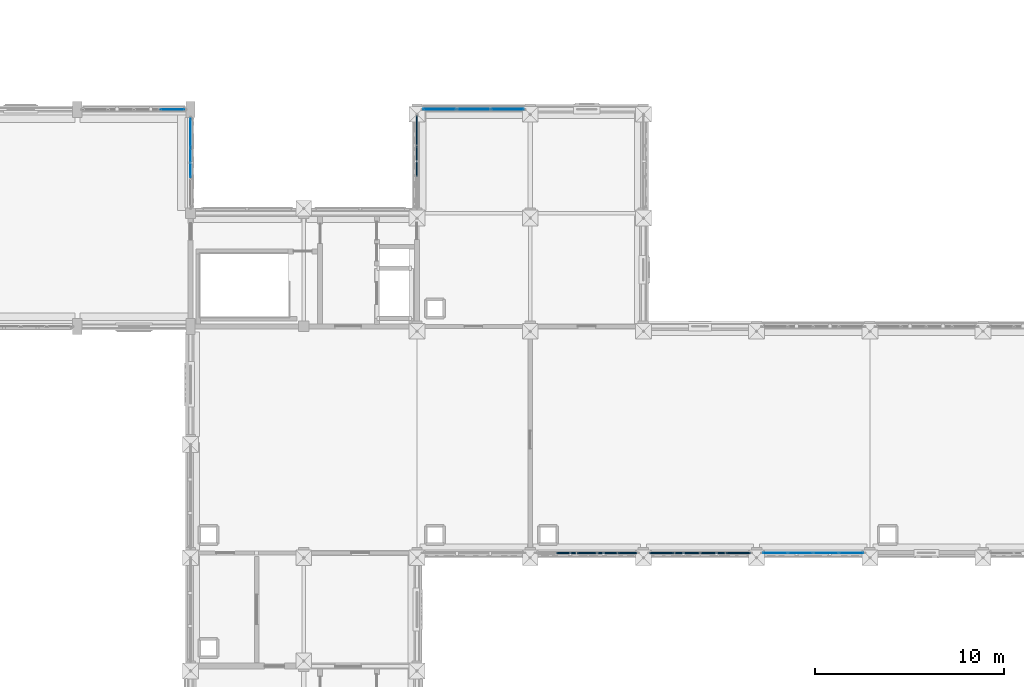
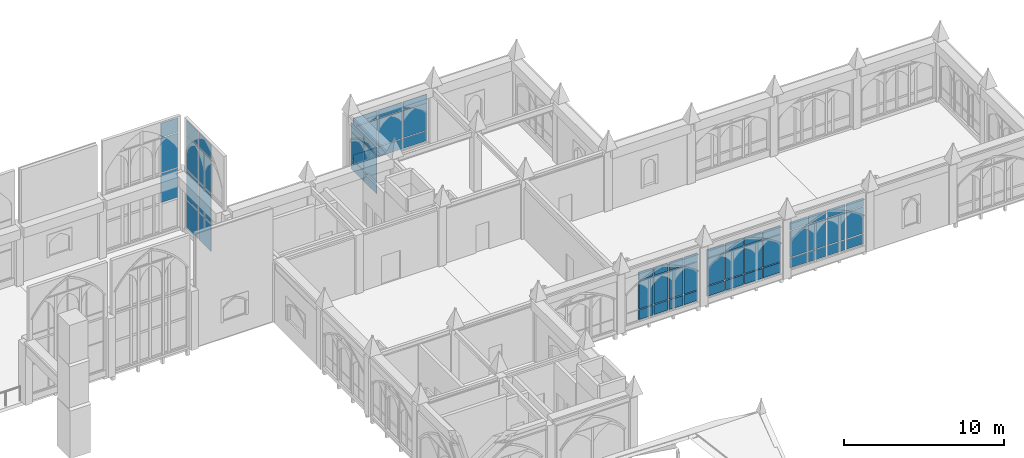
# One storey, part 70 of 108: 62 plates, 7 elements without a shape of their own.
"""IFC4 building model written with IfcOpenShell, lengths in metres."""

from ifc_helpers import new_model, si_unit, direction, frame, origin, origin_2d, place, context, subcontext, project, spatial, rectangle, extrude, material, layer, layer_set, type_object, element, aggregate, save


model = new_model("IFC4")

# Units and contexts
model_context = context("Model", 3, precision=1e-05, world=origin(), true_north=direction((0.0, 1.0)))
body_context = subcontext(model_context, "Body", "Model", "MODEL_VIEW")
ifc_project = project(units=[si_unit("LENGTHUNIT", "METRE"), si_unit("AREAUNIT", "SQUARE_METRE"), si_unit("VOLUMEUNIT", "CUBIC_METRE"), si_unit("PLANEANGLEUNIT", "RADIAN"), si_unit("MASSUNIT", "GRAM", prefix="KILO")], contexts=[model_context])

# Site, building, storey
site_placement = place(None, origin())
site = spatial("IfcSite", under=ifc_project, at=site_placement, CompositionType="ELEMENT")
building_placement = place(site_placement, origin())
building = spatial("IfcBuilding", under=site, at=building_placement, Name="Cumevento Cable Car Station", CompositionType="ELEMENT")
storey_placement = place(building_placement, frame((0.0, 0.0, 13.5)))
storey = spatial("IfcBuildingStorey", under=building, at=storey_placement, Name="L04", CompositionType="ELEMENT", Elevation=13.5)

# Curtain wall, plates
ifc_material_1 = material(Name="Anodised Bronze Aluminium AW-6063-T6", Category="aluminium")
ifc_layer_1 = layer(ifc_material_1, 0.196044921875)
ifc_layer_set_1 = layer_set([ifc_layer_1], Name="Anodised Bronze Aluminium AW-6063-T6")
curtain_wall_type_1 = type_object("IfcCurtainWallType", Name="Lancet Curtain Wall CW-07 1290", PredefinedType="NOTDEFINED", material=ifc_layer_set_1)
curtain_wall_1_placement = place(storey_placement, origin())
curtain_wall_1 = element("IfcCurtainWall", 1, at=curtain_wall_1_placement, inside=storey, type_object=curtain_wall_type_1, Name="Lancet Curtain Wall CW-07 L04 #182", PredefinedType="NOTDEFINED")
ifc_material_2 = material(Name="Solar Control Laminated Double Glazing", Category="glass")
ifc_layer_2 = layer(ifc_material_2, 0.02197265625)
ifc_layer_set_2 = layer_set([ifc_layer_2], Name="Solar Control Laminated Double Glazing")
plate_type_1 = type_object("IfcPlateType", Name="Glazed Panel CWP-01 22", PredefinedType="CURTAIN_PANEL", material=ifc_layer_set_2)
plate_1_placement = place(storey_placement, frame((153.027587890625, 33.0, 0.525146484375), z_axis=(0.0, 0.0, 1.0), x_axis=(-1.0, 0.0, 0.0)))
plate_1 = element("IfcPlate", 2, at=plate_1_placement, type_object=plate_type_1, Name="CW-07 panel 1.1", PredefinedType="CURTAIN_PANEL", context=body_context, shape_type="SweptSolid", body=[
    extrude(rectangle(XDim=1.264892578125, YDim=0.02197265625, at=origin_2d()), origin(), (0.0, 0.0, 1.0), 0.75244140625),
])
plate_2_placement = place(storey_placement, frame((153.027587890625, 33.0, 1.342529296875), z_axis=(0.0, 0.0, 1.0), x_axis=(-1.0, 0.0, 0.0)))
plate_2 = element("IfcPlate", 3, at=plate_2_placement, type_object=plate_type_1, Name="CW-07 panel 1.2", PredefinedType="CURTAIN_PANEL", context=body_context, shape_type="SweptSolid", body=[
    extrude(rectangle(XDim=1.264892578125, YDim=0.02197265625, at=origin_2d()), origin(), (0.0, 0.0, 1.0), 2.01806640625),
])
plate_3_placement = place(storey_placement, frame((153.027587890625, 33.0, 3.425537109375), z_axis=(0.0, 0.0, 1.0), x_axis=(-1.0, 0.0, 0.0)))
plate_3 = element("IfcPlate", 4, at=plate_3_placement, type_object=plate_type_1, Name="CW-07 panel 1.3", PredefinedType="CURTAIN_PANEL", context=body_context, shape_type="SweptSolid", body=[
    extrude(rectangle(XDim=1.264892578125, YDim=0.02197265625, at=origin_2d()), origin(), (0.0, 0.0, 1.0), 0.6025390625),
])
plate_4_placement = place(storey_placement, frame((151.68115234375, 33.0, 0.525146484375), z_axis=(0.0, 0.0, 1.0), x_axis=(-1.0, 0.0, 0.0)))
plate_4 = element("IfcPlate", 5, at=plate_4_placement, type_object=plate_type_1, Name="CW-07 panel 2.1", PredefinedType="CURTAIN_PANEL", context=body_context, shape_type="SweptSolid", body=[
    extrude(rectangle(XDim=1.297607421875, YDim=0.02197265625, at=origin_2d()), origin(), (0.0, 0.0, 1.0), 0.75244140625),
])
plate_5_placement = place(storey_placement, frame((151.68115234375, 33.0, 1.342529296875), z_axis=(0.0, 0.0, 1.0), x_axis=(-1.0, 0.0, 0.0)))
plate_5 = element("IfcPlate", 6, at=plate_5_placement, type_object=plate_type_1, Name="CW-07 panel 2.2", PredefinedType="CURTAIN_PANEL", context=body_context, shape_type="SweptSolid", body=[
    extrude(rectangle(XDim=1.297607421875, YDim=0.02197265625, at=origin_2d()), origin(), (0.0, 0.0, 1.0), 2.01806640625),
])
plate_6_placement = place(storey_placement, frame((151.68115234375, 33.0, 3.425537109375), z_axis=(0.0, 0.0, 1.0), x_axis=(-1.0, 0.0, 0.0)))
plate_6 = element("IfcPlate", 7, at=plate_6_placement, type_object=plate_type_1, Name="CW-07 panel 2.3", PredefinedType="CURTAIN_PANEL", context=body_context, shape_type="SweptSolid", body=[
    extrude(rectangle(XDim=1.297607421875, YDim=0.02197265625, at=origin_2d()), origin(), (0.0, 0.0, 1.0), 0.6025390625),
])
plate_7_placement = place(storey_placement, frame((150.31884765625, 33.0, 0.525146484375), z_axis=(0.0, 0.0, 1.0), x_axis=(-1.0, 0.0, 0.0)))
plate_7 = element("IfcPlate", 8, at=plate_7_placement, type_object=plate_type_1, Name="CW-07 panel 3.1", PredefinedType="CURTAIN_PANEL", context=body_context, shape_type="SweptSolid", body=[
    extrude(rectangle(XDim=1.297607421875, YDim=0.02197265625, at=origin_2d()), origin(), (0.0, 0.0, 1.0), 0.75244140625),
])
plate_8_placement = place(storey_placement, frame((150.31884765625, 33.0, 1.342529296875), z_axis=(0.0, 0.0, 1.0), x_axis=(-1.0, 0.0, 0.0)))
plate_8 = element("IfcPlate", 9, at=plate_8_placement, type_object=plate_type_1, Name="CW-07 panel 3.2", PredefinedType="CURTAIN_PANEL", context=body_context, shape_type="SweptSolid", body=[
    extrude(rectangle(XDim=1.297607421875, YDim=0.02197265625, at=origin_2d()), origin(), (0.0, 0.0, 1.0), 2.01806640625),
])
plate_9_placement = place(storey_placement, frame((150.31884765625, 33.0, 3.425537109375), z_axis=(0.0, 0.0, 1.0), x_axis=(-1.0, 0.0, 0.0)))
plate_9 = element("IfcPlate", 10, at=plate_9_placement, type_object=plate_type_1, Name="CW-07 panel 3.3", PredefinedType="CURTAIN_PANEL", context=body_context, shape_type="SweptSolid", body=[
    extrude(rectangle(XDim=1.297607421875, YDim=0.02197265625, at=origin_2d()), origin(), (0.0, 0.0, 1.0), 0.6025390625),
])
plate_10_placement = place(storey_placement, frame((148.972412109375, 33.0, 0.525146484375), z_axis=(0.0, 0.0, 1.0), x_axis=(-1.0, 0.0, 0.0)))
plate_10 = element("IfcPlate", 11, at=plate_10_placement, type_object=plate_type_1, Name="CW-07 panel 4.1", PredefinedType="CURTAIN_PANEL", context=body_context, shape_type="SweptSolid", body=[
    extrude(rectangle(XDim=1.264892578125, YDim=0.02197265625, at=origin_2d()), origin(), (0.0, 0.0, 1.0), 0.75244140625),
])
plate_11_placement = place(storey_placement, frame((148.972412109375, 33.0, 1.342529296875), z_axis=(0.0, 0.0, 1.0), x_axis=(-1.0, 0.0, 0.0)))
plate_11 = element("IfcPlate", 12, at=plate_11_placement, type_object=plate_type_1, Name="CW-07 panel 4.2", PredefinedType="CURTAIN_PANEL", context=body_context, shape_type="SweptSolid", body=[
    extrude(rectangle(XDim=1.264892578125, YDim=0.02197265625, at=origin_2d()), origin(), (0.0, 0.0, 1.0), 2.01806640625),
])
plate_12_placement = place(storey_placement, frame((148.972412109375, 33.0, 3.425537109375), z_axis=(0.0, 0.0, 1.0), x_axis=(-1.0, 0.0, 0.0)))
plate_12 = element("IfcPlate", 13, at=plate_12_placement, type_object=plate_type_1, Name="CW-07 panel 4.3", PredefinedType="CURTAIN_PANEL", context=body_context, shape_type="SweptSolid", body=[
    extrude(rectangle(XDim=1.264892578125, YDim=0.02197265625, at=origin_2d()), origin(), (0.0, 0.0, 1.0), 0.6025390625),
])
aggregate(curtain_wall_1, [plate_1, plate_2, plate_3, plate_4, plate_5, plate_6, plate_7, plate_8, plate_9, plate_10, plate_11, plate_12])

ifc_material_3 = material(Name="Anodised Bronze Aluminium AW-6063-T6", Category="aluminium")
ifc_layer_3 = layer(ifc_material_3, 0.214111328125)
ifc_layer_set_3 = layer_set([ifc_layer_3], Name="Anodised Bronze Aluminium AW-6063-T6")
curtain_wall_type_2 = type_object("IfcCurtainWallType", Name="Lancet Curtain Wall CW-10 1410", PredefinedType="NOTDEFINED", material=ifc_layer_set_3)
curtain_wall_2_placement = place(storey_placement, origin())
curtain_wall_2 = element("IfcCurtainWall", 14, at=curtain_wall_2_placement, inside=storey, type_object=curtain_wall_type_2, Name="Lancet Curtain Wall CW-10 L04 #169", PredefinedType="NOTDEFINED")
ifc_material_4 = material(Name="Solar Control Laminated Double Glazing", Category="glass")
ifc_layer_4 = layer(ifc_material_4, 0.02587890625)
ifc_layer_set_4 = layer_set([ifc_layer_4], Name="Solar Control Laminated Double Glazing")
plate_type_2 = type_object("IfcPlateType", Name="Glazed Panel CWP-02 26", PredefinedType="CURTAIN_PANEL", material=ifc_layer_set_4)
plate_13_placement = place(storey_placement, frame((117.043701171875, 56.5, 2.447509765625), z_axis=(0.0, 0.0, 1.0), x_axis=(1.0, 0.0, 0.0)))
plate_13 = element("IfcPlate", 15, at=plate_13_placement, type_object=plate_type_2, Name="CW-10 panel 4.2", PredefinedType="CURTAIN_PANEL", context=body_context, shape_type="SweptSolid", body=[
    extrude(rectangle(XDim=1.262451171875, YDim=0.02587890625, at=origin_2d()), origin(), (0.0, 0.0, 1.0), 2.22509765625),
])
plate_14_placement = place(storey_placement, frame((117.043701171875, 56.5, 4.74755859375), z_axis=(0.0, 0.0, 1.0), x_axis=(1.0, 0.0, 0.0)))
plate_14 = element("IfcPlate", 16, at=plate_14_placement, type_object=plate_type_2, Name="CW-10 panel 4.3", PredefinedType="CURTAIN_PANEL", context=body_context, shape_type="SweptSolid", body=[
    extrude(rectangle(XDim=1.262451171875, YDim=0.02587890625, at=origin_2d()), origin(), (0.0, 0.0, 1.0), 2.60791015625),
])
plate_15_placement = place(storey_placement, frame((117.043701171875, 56.5, 7.4306640625), z_axis=(0.0, 0.0, 1.0), x_axis=(1.0, 0.0, 0.0)))
plate_15 = element("IfcPlate", 17, at=plate_15_placement, type_object=plate_type_2, Name="CW-10 panel 4.4", PredefinedType="CURTAIN_PANEL", context=body_context, shape_type="SweptSolid", body=[
    extrude(rectangle(XDim=1.262451171875, YDim=0.02587890625, at=origin_2d()), origin(), (0.0, 0.0, 1.0), 1.08740234375),
])
aggregate(curtain_wall_2, [plate_13, plate_14, plate_15])

ifc_material_5 = material(Name="Anodised Bronze Aluminium AW-6063-T6", Category="aluminium")
ifc_layer_5 = layer(ifc_material_5, 0.219970703125)
ifc_layer_set_5 = layer_set([ifc_layer_5], Name="Anodised Bronze Aluminium AW-6063-T6")
curtain_wall_type_3 = type_object("IfcCurtainWallType", Name="Lancet Curtain Wall CW-11 1450", PredefinedType="NOTDEFINED", material=ifc_layer_set_5)
curtain_wall_3_placement = place(storey_placement, origin())
curtain_wall_3 = element("IfcCurtainWall", 18, at=curtain_wall_3_placement, inside=storey, type_object=curtain_wall_type_3, Name="Lancet Curtain Wall CW-11 L04 #170", PredefinedType="NOTDEFINED")
ifc_material_6 = material(Name="Solar Control Laminated Double Glazing", Category="glass")
ifc_layer_6 = layer(ifc_material_6, 0.030029296875)
ifc_layer_set_6 = layer_set([ifc_layer_6], Name="Solar Control Laminated Double Glazing")
plate_type_3 = type_object("IfcPlateType", Name="Glazed Panel CWP-03 30", PredefinedType="CURTAIN_PANEL", material=ifc_layer_set_6)
plate_16_placement = place(storey_placement, frame((118.0, 55.25634765625, 0.3349609375), z_axis=(0.0, 0.0, 1.0), x_axis=(0.0, -1.0, 0.0)))
plate_16 = element("IfcPlate", 19, at=plate_16_placement, type_object=plate_type_3, Name="CW-11 panel 1.1", PredefinedType="CURTAIN_PANEL", context=body_context, shape_type="SweptSolid", body=[
    extrude(rectangle(XDim=1.487548828125, YDim=0.030029296875, at=origin_2d()), origin(), (0.0, 0.0, 1.0), 2.08740234375),
])
plate_17_placement = place(storey_placement, frame((118.0, 55.25634765625, 2.49755859375), z_axis=(0.0, 0.0, 1.0), x_axis=(0.0, -1.0, 0.0)))
plate_17 = element("IfcPlate", 20, at=plate_17_placement, type_object=plate_type_3, Name="CW-11 panel 1.2", PredefinedType="CURTAIN_PANEL", context=body_context, shape_type="SweptSolid", body=[
    extrude(rectangle(XDim=1.487548828125, YDim=0.030029296875, at=origin_2d()), origin(), (0.0, 0.0, 1.0), 2.22509765625),
])
plate_18_placement = place(storey_placement, frame((118.0, 55.25634765625, 4.79736328125), z_axis=(0.0, 0.0, 1.0), x_axis=(0.0, -1.0, 0.0)))
plate_18 = element("IfcPlate", 21, at=plate_18_placement, type_object=plate_type_3, Name="CW-11 panel 1.3", PredefinedType="CURTAIN_PANEL", context=body_context, shape_type="SweptSolid", body=[
    extrude(rectangle(XDim=1.487548828125, YDim=0.030029296875, at=origin_2d()), origin(), (0.0, 0.0, 1.0), 2.55810546875),
])
plate_19_placement = place(storey_placement, frame((118.0, 55.25634765625, 7.4306640625), z_axis=(0.0, 0.0, 1.0), x_axis=(0.0, -1.0, 0.0)))
plate_19 = element("IfcPlate", 22, at=plate_19_placement, type_object=plate_type_3, Name="CW-11 panel 1.4", PredefinedType="CURTAIN_PANEL", context=body_context, shape_type="SweptSolid", body=[
    extrude(rectangle(XDim=1.487548828125, YDim=0.030029296875, at=origin_2d()), origin(), (0.0, 0.0, 1.0), 1.08740234375),
])
plate_20_placement = place(storey_placement, frame((118.0, 53.675048828125, 0.3349609375), z_axis=(0.0, 0.0, 1.0), x_axis=(0.0, -1.0, 0.0)))
plate_20 = element("IfcPlate", 23, at=plate_20_placement, type_object=plate_type_3, Name="CW-11 panel 2.1", PredefinedType="CURTAIN_PANEL", context=body_context, shape_type="SweptSolid", body=[
    extrude(rectangle(XDim=1.52490234375, YDim=0.030029296875, at=origin_2d()), origin(), (0.0, 0.0, 1.0), 2.08740234375),
])
plate_21_placement = place(storey_placement, frame((118.0, 53.675048828125, 2.49755859375), z_axis=(0.0, 0.0, 1.0), x_axis=(0.0, -1.0, 0.0)))
plate_21 = element("IfcPlate", 24, at=plate_21_placement, type_object=plate_type_3, Name="CW-11 panel 2.2", PredefinedType="CURTAIN_PANEL", context=body_context, shape_type="SweptSolid", body=[
    extrude(rectangle(XDim=1.52490234375, YDim=0.030029296875, at=origin_2d()), origin(), (0.0, 0.0, 1.0), 2.22509765625),
])
plate_22_placement = place(storey_placement, frame((118.0, 53.675048828125, 4.79736328125), z_axis=(0.0, 0.0, 1.0), x_axis=(0.0, -1.0, 0.0)))
plate_22 = element("IfcPlate", 25, at=plate_22_placement, type_object=plate_type_3, Name="CW-11 panel 2.3", PredefinedType="CURTAIN_PANEL", context=body_context, shape_type="SweptSolid", body=[
    extrude(rectangle(XDim=1.52490234375, YDim=0.030029296875, at=origin_2d()), origin(), (0.0, 0.0, 1.0), 2.55810546875),
])
plate_23_placement = place(storey_placement, frame((118.0, 53.675048828125, 7.4306640625), z_axis=(0.0, 0.0, 1.0), x_axis=(0.0, -1.0, 0.0)))
plate_23 = element("IfcPlate", 26, at=plate_23_placement, type_object=plate_type_3, Name="CW-11 panel 2.4", PredefinedType="CURTAIN_PANEL", context=body_context, shape_type="SweptSolid", body=[
    extrude(rectangle(XDim=1.52490234375, YDim=0.030029296875, at=origin_2d()), origin(), (0.0, 0.0, 1.0), 1.08740234375),
])
aggregate(curtain_wall_3, [plate_16, plate_17, plate_18, plate_19, plate_20, plate_21, plate_22, plate_23])

ifc_material_7 = material(Name="Anodised Bronze Aluminium AW-6063-T6", Category="aluminium")
ifc_layer_7 = layer(ifc_material_7, 0.238037109375)
ifc_layer_set_7 = layer_set([ifc_layer_7], Name="Anodised Bronze Aluminium AW-6063-T6")
curtain_wall_type_4 = type_object("IfcCurtainWallType", Name="Lancet Curtain Wall CW-14 1570", PredefinedType="NOTDEFINED", material=ifc_layer_set_7)
curtain_wall_4_placement = place(storey_placement, origin())
curtain_wall_4 = element("IfcCurtainWall", 27, at=curtain_wall_4_placement, inside=storey, type_object=curtain_wall_type_4, Name="Lancet Curtain Wall CW-14 L04 #189", PredefinedType="NOTDEFINED")
ifc_material_8 = material(Name="Solar Control Laminated Double Glazing", Category="glass")
ifc_layer_8 = layer(ifc_material_8, 0.050048828125)
ifc_layer_set_8 = layer_set([ifc_layer_8], Name="Solar Control Laminated Double Glazing")
plate_type_4 = type_object("IfcPlateType", Name="Glazed Panel CWP-08 50", PredefinedType="CURTAIN_PANEL", material=ifc_layer_set_8)
plate_24_placement = place(storey_placement, frame((131.199462890625, 56.5, 0.47509765625), z_axis=(0.0, 0.0, 1.0), x_axis=(1.0, 0.0, 0.0)))
plate_24 = element("IfcPlate", 28, at=plate_24_placement, type_object=plate_type_4, Name="CW-14 panel 1.1", PredefinedType="CURTAIN_PANEL", context=body_context, shape_type="SweptSolid", body=[
    extrude(rectangle(XDim=1.71923828125, YDim=0.050048828125, at=origin_2d()), origin(), (0.0, 0.0, 1.0), 0.75244140625),
])
plate_25_placement = place(storey_placement, frame((131.199462890625, 56.5, 1.29248046875), z_axis=(0.0, 0.0, 1.0), x_axis=(1.0, 0.0, 0.0)))
plate_25 = element("IfcPlate", 29, at=plate_25_placement, type_object=plate_type_4, Name="CW-14 panel 1.2", PredefinedType="CURTAIN_PANEL", context=body_context, shape_type="SweptSolid", body=[
    extrude(rectangle(XDim=1.71923828125, YDim=0.050048828125, at=origin_2d()), origin(), (0.0, 0.0, 1.0), 2.068115234375),
])
plate_26_placement = place(storey_placement, frame((131.199462890625, 56.5, 3.425537109375), z_axis=(0.0, 0.0, 1.0), x_axis=(1.0, 0.0, 0.0)))
plate_26 = element("IfcPlate", 30, at=plate_26_placement, type_object=plate_type_4, Name="CW-14 panel 1.3", PredefinedType="CURTAIN_PANEL", context=body_context, shape_type="SweptSolid", body=[
    extrude(rectangle(XDim=1.71923828125, YDim=0.050048828125, at=origin_2d()), origin(), (0.0, 0.0, 1.0), 0.6025390625),
])
plate_27_placement = place(storey_placement, frame((133.0, 56.5, 0.47509765625), z_axis=(0.0, 0.0, 1.0), x_axis=(1.0, 0.0, 0.0)))
plate_27 = element("IfcPlate", 31, at=plate_27_placement, type_object=plate_type_4, Name="CW-14 panel 2.1", PredefinedType="CURTAIN_PANEL", context=body_context, shape_type="SweptSolid", body=[
    extrude(rectangle(XDim=1.751708984375, YDim=0.050048828125, at=origin_2d()), origin(), (0.0, 0.0, 1.0), 0.75244140625),
])
plate_28_placement = place(storey_placement, frame((133.0, 56.5, 1.29248046875), z_axis=(0.0, 0.0, 1.0), x_axis=(1.0, 0.0, 0.0)))
plate_28 = element("IfcPlate", 32, at=plate_28_placement, type_object=plate_type_4, Name="CW-14 panel 2.2", PredefinedType="CURTAIN_PANEL", context=body_context, shape_type="SweptSolid", body=[
    extrude(rectangle(XDim=1.751708984375, YDim=0.050048828125, at=origin_2d()), origin(), (0.0, 0.0, 1.0), 2.068115234375),
])
plate_29_placement = place(storey_placement, frame((133.0, 56.5, 3.425537109375), z_axis=(0.0, 0.0, 1.0), x_axis=(1.0, 0.0, 0.0)))
plate_29 = element("IfcPlate", 33, at=plate_29_placement, type_object=plate_type_4, Name="CW-14 panel 2.3", PredefinedType="CURTAIN_PANEL", context=body_context, shape_type="SweptSolid", body=[
    extrude(rectangle(XDim=1.751708984375, YDim=0.050048828125, at=origin_2d()), origin(), (0.0, 0.0, 1.0), 0.6025390625),
])
plate_30_placement = place(storey_placement, frame((134.800537109375, 56.5, 0.47509765625), z_axis=(0.0, 0.0, 1.0), x_axis=(1.0, 0.0, 0.0)))
plate_30 = element("IfcPlate", 34, at=plate_30_placement, type_object=plate_type_4, Name="CW-14 panel 3.1", PredefinedType="CURTAIN_PANEL", context=body_context, shape_type="SweptSolid", body=[
    extrude(rectangle(XDim=1.71923828125, YDim=0.050048828125, at=origin_2d()), origin(), (0.0, 0.0, 1.0), 0.75244140625),
])
plate_31_placement = place(storey_placement, frame((134.800537109375, 56.5, 1.29248046875), z_axis=(0.0, 0.0, 1.0), x_axis=(1.0, 0.0, 0.0)))
plate_31 = element("IfcPlate", 35, at=plate_31_placement, type_object=plate_type_4, Name="CW-14 panel 3.2", PredefinedType="CURTAIN_PANEL", context=body_context, shape_type="SweptSolid", body=[
    extrude(rectangle(XDim=1.71923828125, YDim=0.050048828125, at=origin_2d()), origin(), (0.0, 0.0, 1.0), 2.068115234375),
])
plate_32_placement = place(storey_placement, frame((134.800537109375, 56.5, 3.425537109375), z_axis=(0.0, 0.0, 1.0), x_axis=(1.0, 0.0, 0.0)))
plate_32 = element("IfcPlate", 36, at=plate_32_placement, type_object=plate_type_4, Name="CW-14 panel 3.3", PredefinedType="CURTAIN_PANEL", context=body_context, shape_type="SweptSolid", body=[
    extrude(rectangle(XDim=1.71923828125, YDim=0.050048828125, at=origin_2d()), origin(), (0.0, 0.0, 1.0), 0.6025390625),
])
aggregate(curtain_wall_4, [plate_24, plate_25, plate_26, plate_27, plate_28, plate_29, plate_30, plate_31, plate_32])

ifc_material_9 = material(Name="Anodised Bronze Aluminium AW-6063-T6", Category="aluminium")
ifc_layer_9 = layer(ifc_material_9, 0.243896484375)
ifc_layer_set_9 = layer_set([ifc_layer_9], Name="Anodised Bronze Aluminium AW-6063-T6")
curtain_wall_type_5 = type_object("IfcCurtainWallType", Name="Lancet Curtain Wall CW-15 1610", PredefinedType="NOTDEFINED", material=ifc_layer_set_9)
curtain_wall_5_placement = place(storey_placement, origin())
curtain_wall_5 = element("IfcCurtainWall", 37, at=curtain_wall_5_placement, inside=storey, type_object=curtain_wall_type_5, Name="Lancet Curtain Wall CW-15 L04 #190", PredefinedType="NOTDEFINED")
ifc_material_10 = material(Name="Insulated Bronze Aluminium Spandrel Panel", Category="aluminium")
ifc_layer_10 = layer(ifc_material_10, 0.054931640625)
ifc_layer_set_10 = layer_set([ifc_layer_10], Name="Insulated Bronze Aluminium Spandrel Panel")
plate_type_5 = type_object("IfcPlateType", Name="Spandrel Panel CWP-09 55", PredefinedType="CURTAIN_PANEL", material=ifc_layer_set_10)
plate_33_placement = place(storey_placement, frame((130.0, 53.75, 0.525146484375), z_axis=(0.0, 0.0, 1.0), x_axis=(0.0, 1.0, 0.0)))
plate_33 = element("IfcPlate", 38, at=plate_33_placement, type_object=plate_type_5, Name="CW-15 panel 2.1", PredefinedType="CURTAIN_PANEL", context=body_context, shape_type="SweptSolid", body=[
    extrude(rectangle(XDim=1.5849609375, YDim=0.054931640625, at=origin_2d()), origin(), (0.0, 0.0, 1.0), 0.75244140625),
])
plate_34_placement = place(storey_placement, frame((130.0, 53.75, 1.342529296875), z_axis=(0.0, 0.0, 1.0), x_axis=(0.0, 1.0, 0.0)))
plate_34 = element("IfcPlate", 39, at=plate_34_placement, type_object=plate_type_5, Name="CW-15 panel 2.2", PredefinedType="CURTAIN_PANEL", context=body_context, shape_type="SweptSolid", body=[
    extrude(rectangle(XDim=1.5849609375, YDim=0.054931640625, at=origin_2d()), origin(), (0.0, 0.0, 1.0), 2.01806640625),
])
plate_35_placement = place(storey_placement, frame((130.0, 53.75, 3.425537109375), z_axis=(0.0, 0.0, 1.0), x_axis=(0.0, 1.0, 0.0)))
plate_35 = element("IfcPlate", 40, at=plate_35_placement, type_object=plate_type_5, Name="CW-15 panel 2.3", PredefinedType="CURTAIN_PANEL", context=body_context, shape_type="SweptSolid", body=[
    extrude(rectangle(XDim=1.5849609375, YDim=0.054931640625, at=origin_2d()), origin(), (0.0, 0.0, 1.0), 0.6025390625),
])
plate_36_placement = place(storey_placement, frame((130.0, 55.3837890625, 0.525146484375), z_axis=(0.0, 0.0, 1.0), x_axis=(0.0, 1.0, 0.0)))
plate_36 = element("IfcPlate", 41, at=plate_36_placement, type_object=plate_type_5, Name="CW-15 panel 3.1", PredefinedType="CURTAIN_PANEL", context=body_context, shape_type="SweptSolid", body=[
    extrude(rectangle(XDim=1.552490234375, YDim=0.054931640625, at=origin_2d()), origin(), (0.0, 0.0, 1.0), 0.75244140625),
])
plate_37_placement = place(storey_placement, frame((130.0, 55.3837890625, 1.342529296875), z_axis=(0.0, 0.0, 1.0), x_axis=(0.0, 1.0, 0.0)))
plate_37 = element("IfcPlate", 42, at=plate_37_placement, type_object=plate_type_5, Name="CW-15 panel 3.2", PredefinedType="CURTAIN_PANEL", context=body_context, shape_type="SweptSolid", body=[
    extrude(rectangle(XDim=1.552490234375, YDim=0.054931640625, at=origin_2d()), origin(), (0.0, 0.0, 1.0), 2.01806640625),
])
plate_38_placement = place(storey_placement, frame((130.0, 55.3837890625, 3.425537109375), z_axis=(0.0, 0.0, 1.0), x_axis=(0.0, 1.0, 0.0)))
plate_38 = element("IfcPlate", 43, at=plate_38_placement, type_object=plate_type_5, Name="CW-15 panel 3.3", PredefinedType="CURTAIN_PANEL", context=body_context, shape_type="SweptSolid", body=[
    extrude(rectangle(XDim=1.552490234375, YDim=0.054931640625, at=origin_2d()), origin(), (0.0, 0.0, 1.0), 0.6025390625),
])
aggregate(curtain_wall_5, [plate_33, plate_34, plate_35, plate_36, plate_37, plate_38])

ifc_material_11 = material(Name="Anodised Bronze Aluminium AW-6063-T6", Category="aluminium")
ifc_layer_11 = layer(ifc_material_11, 0.18408203125)
ifc_layer_set_11 = layer_set([ifc_layer_11], Name="Anodised Bronze Aluminium AW-6063-T6")
curtain_wall_type_6 = type_object("IfcCurtainWallType", Name="Lancet Curtain Wall CW-05 1210", PredefinedType="NOTDEFINED", material=ifc_layer_set_11)
curtain_wall_6_placement = place(storey_placement, origin())
curtain_wall_6 = element("IfcCurtainWall", 44, at=curtain_wall_6_placement, inside=storey, type_object=curtain_wall_type_6, Name="Lancet Curtain Wall CW-05 L04 #180", PredefinedType="NOTDEFINED")
ifc_material_12 = material(Name="Insulated Bronze Aluminium Spandrel Panel", Category="aluminium")
ifc_layer_12 = layer(ifc_material_12, 0.077880859375)
ifc_layer_set_12 = layer_set([ifc_layer_12], Name="Insulated Bronze Aluminium Spandrel Panel")
plate_type_6 = type_object("IfcPlateType", Name="Spandrel Panel CWP-13 78", PredefinedType="CURTAIN_PANEL", material=ifc_layer_set_12)
plate_39_placement = place(storey_placement, frame((141.163818359375, 33.0, 0.425048828125), z_axis=(0.0, 0.0, 1.0), x_axis=(-1.0, 0.0, 0.0)))
plate_39 = element("IfcPlate", 45, at=plate_39_placement, type_object=plate_type_6, Name="CW-05 panel 1.1", PredefinedType="CURTAIN_PANEL", context=body_context, shape_type="SweptSolid", body=[
    extrude(rectangle(XDim=0.992431640625, YDim=0.077880859375, at=origin_2d()), origin(), (0.0, 0.0, 1.0), 0.75244140625),
])
plate_40_placement = place(storey_placement, frame((141.163818359375, 33.0, 1.24267578125), z_axis=(0.0, 0.0, 1.0), x_axis=(-1.0, 0.0, 0.0)))
plate_40 = element("IfcPlate", 46, at=plate_40_placement, type_object=plate_type_6, Name="CW-05 panel 1.2", PredefinedType="CURTAIN_PANEL", context=body_context, shape_type="SweptSolid", body=[
    extrude(rectangle(XDim=0.992431640625, YDim=0.077880859375, at=origin_2d()), origin(), (0.0, 0.0, 1.0), 2.117919921875),
])
plate_41_placement = place(storey_placement, frame((141.163818359375, 33.0, 3.425537109375), z_axis=(0.0, 0.0, 1.0), x_axis=(-1.0, 0.0, 0.0)))
plate_41 = element("IfcPlate", 47, at=plate_41_placement, type_object=plate_type_6, Name="CW-05 panel 1.3", PredefinedType="CURTAIN_PANEL", context=body_context, shape_type="SweptSolid", body=[
    extrude(rectangle(XDim=0.992431640625, YDim=0.077880859375, at=origin_2d()), origin(), (0.0, 0.0, 1.0), 0.6025390625),
])
plate_42_placement = place(storey_placement, frame((140.090087890625, 33.0, 0.425048828125), z_axis=(0.0, 0.0, 1.0), x_axis=(-1.0, 0.0, 0.0)))
plate_42 = element("IfcPlate", 48, at=plate_42_placement, type_object=plate_type_6, Name="CW-05 panel 2.1", PredefinedType="CURTAIN_PANEL", context=body_context, shape_type="SweptSolid", body=[
    extrude(rectangle(XDim=1.02490234375, YDim=0.077880859375, at=origin_2d()), origin(), (0.0, 0.0, 1.0), 0.75244140625),
])
plate_43_placement = place(storey_placement, frame((140.090087890625, 33.0, 1.24267578125), z_axis=(0.0, 0.0, 1.0), x_axis=(-1.0, 0.0, 0.0)))
plate_43 = element("IfcPlate", 49, at=plate_43_placement, type_object=plate_type_6, Name="CW-05 panel 2.2", PredefinedType="CURTAIN_PANEL", context=body_context, shape_type="SweptSolid", body=[
    extrude(rectangle(XDim=1.02490234375, YDim=0.077880859375, at=origin_2d()), origin(), (0.0, 0.0, 1.0), 2.117919921875),
])
plate_44_placement = place(storey_placement, frame((140.090087890625, 33.0, 3.425537109375), z_axis=(0.0, 0.0, 1.0), x_axis=(-1.0, 0.0, 0.0)))
plate_44 = element("IfcPlate", 50, at=plate_44_placement, type_object=plate_type_6, Name="CW-05 panel 2.3", PredefinedType="CURTAIN_PANEL", context=body_context, shape_type="SweptSolid", body=[
    extrude(rectangle(XDim=1.02490234375, YDim=0.077880859375, at=origin_2d()), origin(), (0.0, 0.0, 1.0), 0.6025390625),
])
plate_45_placement = place(storey_placement, frame((139.0, 33.0, 0.425048828125), z_axis=(0.0, 0.0, 1.0), x_axis=(-1.0, 0.0, 0.0)))
plate_45 = element("IfcPlate", 51, at=plate_45_placement, type_object=plate_type_6, Name="CW-05 panel 3.1", PredefinedType="CURTAIN_PANEL", context=body_context, shape_type="SweptSolid", body=[
    extrude(rectangle(XDim=1.02490234375, YDim=0.077880859375, at=origin_2d()), origin(), (0.0, 0.0, 1.0), 0.75244140625),
])
plate_46_placement = place(storey_placement, frame((139.0, 33.0, 1.24267578125), z_axis=(0.0, 0.0, 1.0), x_axis=(-1.0, 0.0, 0.0)))
plate_46 = element("IfcPlate", 52, at=plate_46_placement, type_object=plate_type_6, Name="CW-05 panel 3.2", PredefinedType="CURTAIN_PANEL", context=body_context, shape_type="SweptSolid", body=[
    extrude(rectangle(XDim=1.02490234375, YDim=0.077880859375, at=origin_2d()), origin(), (0.0, 0.0, 1.0), 2.117919921875),
])
plate_47_placement = place(storey_placement, frame((139.0, 33.0, 3.425537109375), z_axis=(0.0, 0.0, 1.0), x_axis=(-1.0, 0.0, 0.0)))
plate_47 = element("IfcPlate", 53, at=plate_47_placement, type_object=plate_type_6, Name="CW-05 panel 3.3", PredefinedType="CURTAIN_PANEL", context=body_context, shape_type="SweptSolid", body=[
    extrude(rectangle(XDim=1.02490234375, YDim=0.077880859375, at=origin_2d()), origin(), (0.0, 0.0, 1.0), 0.6025390625),
])
plate_48_placement = place(storey_placement, frame((137.909912109375, 33.0, 0.425048828125), z_axis=(0.0, 0.0, 1.0), x_axis=(-1.0, 0.0, 0.0)))
plate_48 = element("IfcPlate", 54, at=plate_48_placement, type_object=plate_type_6, Name="CW-05 panel 4.1", PredefinedType="CURTAIN_PANEL", context=body_context, shape_type="SweptSolid", body=[
    extrude(rectangle(XDim=1.02490234375, YDim=0.077880859375, at=origin_2d()), origin(), (0.0, 0.0, 1.0), 0.75244140625),
])
plate_49_placement = place(storey_placement, frame((137.909912109375, 33.0, 1.24267578125), z_axis=(0.0, 0.0, 1.0), x_axis=(-1.0, 0.0, 0.0)))
plate_49 = element("IfcPlate", 55, at=plate_49_placement, type_object=plate_type_6, Name="CW-05 panel 4.2", PredefinedType="CURTAIN_PANEL", context=body_context, shape_type="SweptSolid", body=[
    extrude(rectangle(XDim=1.02490234375, YDim=0.077880859375, at=origin_2d()), origin(), (0.0, 0.0, 1.0), 2.117919921875),
])
plate_50_placement = place(storey_placement, frame((137.909912109375, 33.0, 3.425537109375), z_axis=(0.0, 0.0, 1.0), x_axis=(-1.0, 0.0, 0.0)))
plate_50 = element("IfcPlate", 56, at=plate_50_placement, type_object=plate_type_6, Name="CW-05 panel 4.3", PredefinedType="CURTAIN_PANEL", context=body_context, shape_type="SweptSolid", body=[
    extrude(rectangle(XDim=1.02490234375, YDim=0.077880859375, at=origin_2d()), origin(), (0.0, 0.0, 1.0), 0.6025390625),
])
aggregate(curtain_wall_6, [plate_39, plate_40, plate_41, plate_42, plate_43, plate_44, plate_45, plate_46, plate_47, plate_48, plate_49, plate_50])

ifc_material_13 = material(Name="Anodised Bronze Aluminium AW-6063-T6", Category="aluminium")
ifc_layer_13 = layer(ifc_material_13, 0.18994140625)
ifc_layer_set_13 = layer_set([ifc_layer_13], Name="Anodised Bronze Aluminium AW-6063-T6")
curtain_wall_type_7 = type_object("IfcCurtainWallType", Name="Lancet Curtain Wall CW-06 1250", PredefinedType="NOTDEFINED", material=ifc_layer_set_13)
curtain_wall_7_placement = place(storey_placement, origin())
curtain_wall_7 = element("IfcCurtainWall", 57, at=curtain_wall_7_placement, inside=storey, type_object=curtain_wall_type_7, Name="Lancet Curtain Wall CW-06 L04 #181", PredefinedType="NOTDEFINED")
ifc_material_14 = material(Name="Insulated Bronze Aluminium Spandrel Panel", Category="aluminium")
ifc_layer_14 = layer(ifc_material_14, 0.0849609375)
ifc_layer_set_14 = layer_set([ifc_layer_14], Name="Insulated Bronze Aluminium Spandrel Panel")
plate_type_7 = type_object("IfcPlateType", Name="Spandrel Panel CWP-14 85", PredefinedType="CURTAIN_PANEL", material=ifc_layer_set_14)
plate_51_placement = place(storey_placement, frame((147.027587890625, 33.0, 0.47509765625), z_axis=(0.0, 0.0, 1.0), x_axis=(-1.0, 0.0, 0.0)))
plate_51 = element("IfcPlate", 58, at=plate_51_placement, type_object=plate_type_7, Name="CW-06 panel 1.1", PredefinedType="CURTAIN_PANEL", context=body_context, shape_type="SweptSolid", body=[
    extrude(rectangle(XDim=1.264892578125, YDim=0.0849609375, at=origin_2d()), origin(), (0.0, 0.0, 1.0), 0.75244140625),
])
plate_52_placement = place(storey_placement, frame((147.027587890625, 33.0, 1.29248046875), z_axis=(0.0, 0.0, 1.0), x_axis=(-1.0, 0.0, 0.0)))
plate_52 = element("IfcPlate", 59, at=plate_52_placement, type_object=plate_type_7, Name="CW-06 panel 1.2", PredefinedType="CURTAIN_PANEL", context=body_context, shape_type="SweptSolid", body=[
    extrude(rectangle(XDim=1.264892578125, YDim=0.0849609375, at=origin_2d()), origin(), (0.0, 0.0, 1.0), 2.068115234375),
])
plate_53_placement = place(storey_placement, frame((147.027587890625, 33.0, 3.425537109375), z_axis=(0.0, 0.0, 1.0), x_axis=(-1.0, 0.0, 0.0)))
plate_53 = element("IfcPlate", 60, at=plate_53_placement, type_object=plate_type_7, Name="CW-06 panel 1.3", PredefinedType="CURTAIN_PANEL", context=body_context, shape_type="SweptSolid", body=[
    extrude(rectangle(XDim=1.264892578125, YDim=0.0849609375, at=origin_2d()), origin(), (0.0, 0.0, 1.0), 0.6025390625),
])
plate_54_placement = place(storey_placement, frame((145.68115234375, 33.0, 0.47509765625), z_axis=(0.0, 0.0, 1.0), x_axis=(-1.0, 0.0, 0.0)))
plate_54 = element("IfcPlate", 61, at=plate_54_placement, type_object=plate_type_7, Name="CW-06 panel 2.1", PredefinedType="CURTAIN_PANEL", context=body_context, shape_type="SweptSolid", body=[
    extrude(rectangle(XDim=1.297607421875, YDim=0.0849609375, at=origin_2d()), origin(), (0.0, 0.0, 1.0), 0.75244140625),
])
plate_55_placement = place(storey_placement, frame((145.68115234375, 33.0, 1.29248046875), z_axis=(0.0, 0.0, 1.0), x_axis=(-1.0, 0.0, 0.0)))
plate_55 = element("IfcPlate", 62, at=plate_55_placement, type_object=plate_type_7, Name="CW-06 panel 2.2", PredefinedType="CURTAIN_PANEL", context=body_context, shape_type="SweptSolid", body=[
    extrude(rectangle(XDim=1.297607421875, YDim=0.0849609375, at=origin_2d()), origin(), (0.0, 0.0, 1.0), 2.068115234375),
])
plate_56_placement = place(storey_placement, frame((145.68115234375, 33.0, 3.425537109375), z_axis=(0.0, 0.0, 1.0), x_axis=(-1.0, 0.0, 0.0)))
plate_56 = element("IfcPlate", 63, at=plate_56_placement, type_object=plate_type_7, Name="CW-06 panel 2.3", PredefinedType="CURTAIN_PANEL", context=body_context, shape_type="SweptSolid", body=[
    extrude(rectangle(XDim=1.297607421875, YDim=0.0849609375, at=origin_2d()), origin(), (0.0, 0.0, 1.0), 0.6025390625),
])
plate_57_placement = place(storey_placement, frame((144.31884765625, 33.0, 0.47509765625), z_axis=(0.0, 0.0, 1.0), x_axis=(-1.0, 0.0, 0.0)))
plate_57 = element("IfcPlate", 64, at=plate_57_placement, type_object=plate_type_7, Name="CW-06 panel 3.1", PredefinedType="CURTAIN_PANEL", context=body_context, shape_type="SweptSolid", body=[
    extrude(rectangle(XDim=1.297607421875, YDim=0.0849609375, at=origin_2d()), origin(), (0.0, 0.0, 1.0), 0.75244140625),
])
plate_58_placement = place(storey_placement, frame((144.31884765625, 33.0, 1.29248046875), z_axis=(0.0, 0.0, 1.0), x_axis=(-1.0, 0.0, 0.0)))
plate_58 = element("IfcPlate", 65, at=plate_58_placement, type_object=plate_type_7, Name="CW-06 panel 3.2", PredefinedType="CURTAIN_PANEL", context=body_context, shape_type="SweptSolid", body=[
    extrude(rectangle(XDim=1.297607421875, YDim=0.0849609375, at=origin_2d()), origin(), (0.0, 0.0, 1.0), 2.068115234375),
])
plate_59_placement = place(storey_placement, frame((144.31884765625, 33.0, 3.425537109375), z_axis=(0.0, 0.0, 1.0), x_axis=(-1.0, 0.0, 0.0)))
plate_59 = element("IfcPlate", 66, at=plate_59_placement, type_object=plate_type_7, Name="CW-06 panel 3.3", PredefinedType="CURTAIN_PANEL", context=body_context, shape_type="SweptSolid", body=[
    extrude(rectangle(XDim=1.297607421875, YDim=0.0849609375, at=origin_2d()), origin(), (0.0, 0.0, 1.0), 0.6025390625),
])
plate_60_placement = place(storey_placement, frame((142.972412109375, 33.0, 0.47509765625), z_axis=(0.0, 0.0, 1.0), x_axis=(-1.0, 0.0, 0.0)))
plate_60 = element("IfcPlate", 67, at=plate_60_placement, type_object=plate_type_7, Name="CW-06 panel 4.1", PredefinedType="CURTAIN_PANEL", context=body_context, shape_type="SweptSolid", body=[
    extrude(rectangle(XDim=1.264892578125, YDim=0.0849609375, at=origin_2d()), origin(), (0.0, 0.0, 1.0), 0.75244140625),
])
plate_61_placement = place(storey_placement, frame((142.972412109375, 33.0, 1.29248046875), z_axis=(0.0, 0.0, 1.0), x_axis=(-1.0, 0.0, 0.0)))
plate_61 = element("IfcPlate", 68, at=plate_61_placement, type_object=plate_type_7, Name="CW-06 panel 4.2", PredefinedType="CURTAIN_PANEL", context=body_context, shape_type="SweptSolid", body=[
    extrude(rectangle(XDim=1.264892578125, YDim=0.0849609375, at=origin_2d()), origin(), (0.0, 0.0, 1.0), 2.068115234375),
])
plate_62_placement = place(storey_placement, frame((142.972412109375, 33.0, 3.425537109375), z_axis=(0.0, 0.0, 1.0), x_axis=(-1.0, 0.0, 0.0)))
plate_62 = element("IfcPlate", 69, at=plate_62_placement, type_object=plate_type_7, Name="CW-06 panel 4.3", PredefinedType="CURTAIN_PANEL", context=body_context, shape_type="SweptSolid", body=[
    extrude(rectangle(XDim=1.264892578125, YDim=0.0849609375, at=origin_2d()), origin(), (0.0, 0.0, 1.0), 0.6025390625),
])
aggregate(curtain_wall_7, [plate_51, plate_52, plate_53, plate_54, plate_55, plate_56, plate_57, plate_58, plate_59, plate_60, plate_61, plate_62])

save(model, "model.ifc")
